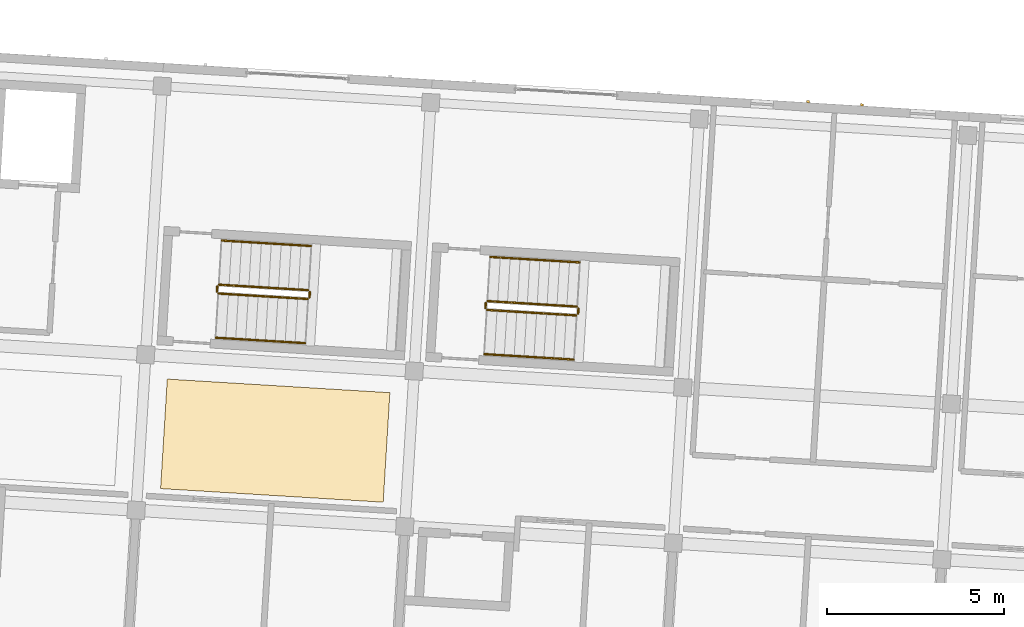
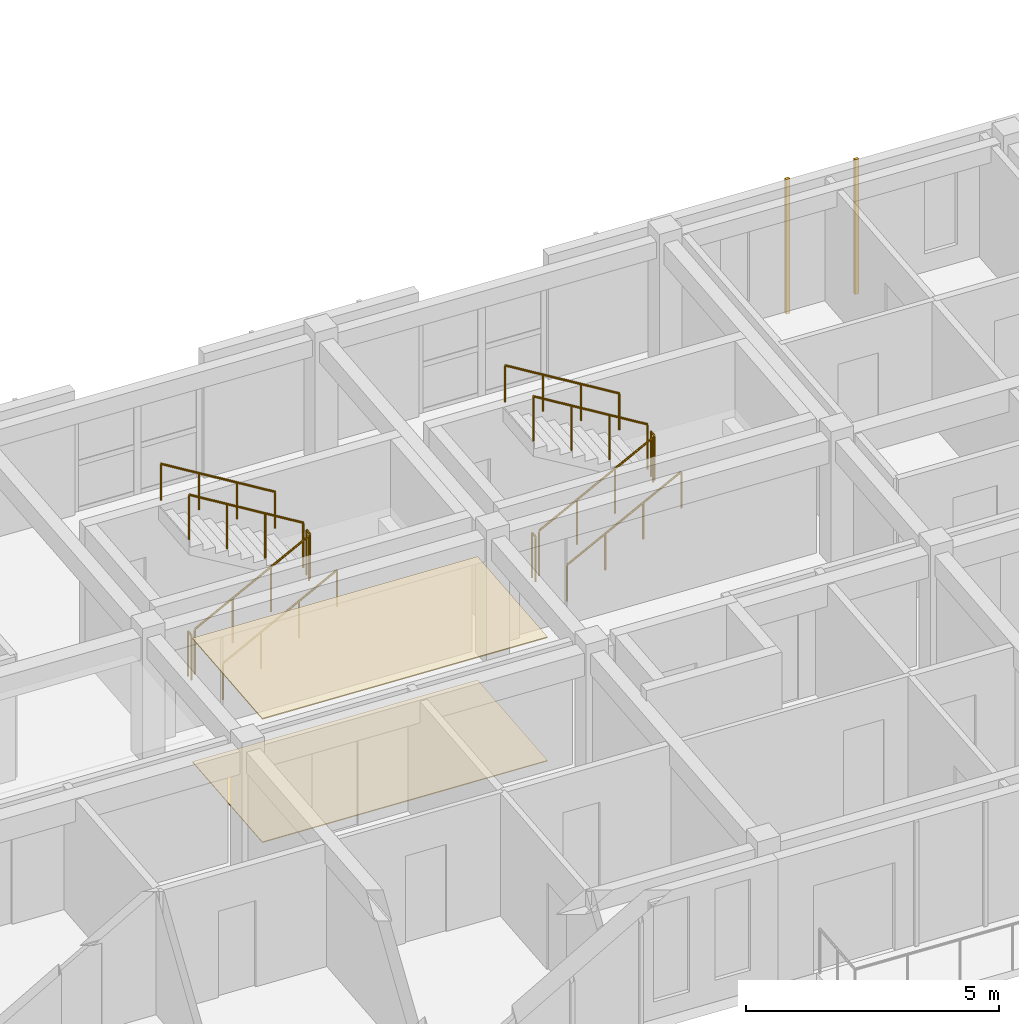
# One storey, part 50 of 66: 12 railings, 4 coverings.
"""IFC4 building model written with IfcOpenShell, lengths in metres."""

from ifc_helpers import new_model, si_unit, direction, frame, origin, origin_2d, place, context, subcontext, project, spatial, polyline, rectangle, circle, outline, extrude, material, layer, layer_set, type_object, element, save


model = new_model("IFC4")

# Units and contexts
model_context = context("Model", 3, precision=1e-05, world=origin(), true_north=direction((0.0, 1.0)))
body_context = subcontext(model_context, "Body", "Model", "MODEL_VIEW")
ifc_project = project(units=[si_unit("LENGTHUNIT", "METRE"), si_unit("AREAUNIT", "SQUARE_METRE"), si_unit("VOLUMEUNIT", "CUBIC_METRE"), si_unit("PLANEANGLEUNIT", "RADIAN"), si_unit("MASSUNIT", "GRAM", prefix="KILO")], contexts=[model_context])

# Site, building, storey
site_placement = place(None, origin())
site = spatial("IfcSite", under=ifc_project, at=site_placement, CompositionType="ELEMENT")
building_placement = place(site_placement, origin())
building = spatial("IfcBuilding", under=site, at=building_placement, Name="Kestramere Prow Commons", CompositionType="ELEMENT")
storey_placement = place(building_placement, frame((0.0, 0.0, 14.89990234375)))
storey = spatial("IfcBuildingStorey", under=building, at=storey_placement, Name="L04", CompositionType="ELEMENT", Elevation=14.89990234375)

# Coverings
ifc_material_1 = material(Name="Mineral Fibre Acoustic Ceiling Tile")
ifc_layer_1 = layer(ifc_material_1, 0.02490234375)
ifc_layer_set_1 = layer_set([ifc_layer_1], Name="Mineral Fibre Acoustic Ceiling Tile")
covering_type_1 = type_object("IfcCoveringType", Name="COV-CEIL-ACOUSTIC", PredefinedType="CEILING", material=ifc_layer_set_1)
covering_1_placement = place(storey_placement, frame((0.0, 0.0, 2.97509765625)))
element("IfcCovering", 1, at=covering_1_placement, inside=storey, type_object=covering_type_1, Name="Block C L04 Corridor Acoustic Ceiling 2", PredefinedType="CEILING", context=body_context, shape_type="SweptSolid", body=[
    extrude(outline(polyline([(68.23828125, 54.23095703125), (74.526611328125, 53.846435546875), (74.7158203125, 56.940673828125), (68.427490234375, 57.3251953125), (68.23828125, 54.23095703125)])), origin(), (0.0, 0.0, 1.0), 0.02490234375),
])
ifc_material_2 = material(Name="Weathered Zinc-Titanium Standing-Seam Cladding")
ifc_layer_2 = layer(ifc_material_2, 0.074951171875)
ifc_layer_set_2 = layer_set([ifc_layer_2], Name="Weathered Zinc-Titanium Standing-Seam Cladding")
covering_type_2 = type_object("IfcCoveringType", Name="COV-CLAD-SEAM", PredefinedType="CLADDING", material=ifc_layer_set_2)
for number, where, z_axis, x_axis, name in (
    (2, (86.52978515625, 65.162109375, -0.25), (0.0, 0.0, 1.0), (0.998134798422, -0.061048539535, 0.0), "EW-C-L04-N-3 Standing-Seam Rib 2"),
    (3, (88.046875, 65.0693359375, -0.25), (0.0, 0.0, 1.0), (0.998134798422, -0.061048539535, 0.0), "EW-C-L04-N-3 Standing-Seam Rib 3"),
):
    element("IfcCovering", number, at=place(storey_placement, frame(where, z_axis=z_axis, x_axis=x_axis)), inside=storey, type_object=covering_type_2, Name=name, PredefinedType="CLADDING", context=body_context, shape_type="SweptSolid", body=[
        extrude(rectangle(XDim=0.0849609375, YDim=0.06494140625, at=origin_2d()), origin(), (0.0, 0.0, 1.0), 3.25),
    ])
ifc_material_3 = material(Name="Honed Cementitious Terrazzo Tile")
ifc_layer_3 = layer(ifc_material_3, 0.02001953125)
ifc_layer_set_3 = layer_set([ifc_layer_3], Name="Honed Cementitious Terrazzo Tile")
covering_type_3 = type_object("IfcCoveringType", Name="COV-FLOOR-TERRAZZO", PredefinedType="FLOORING", material=ifc_layer_set_3)
covering_2_placement = place(storey_placement, origin())
element("IfcCovering", 4, at=covering_2_placement, inside=storey, type_object=covering_type_3, Name="Block C L04 Corridor Terrazzo Flooring 2", PredefinedType="FLOORING", context=body_context, shape_type="SweptSolid", body=[
    extrude(outline(polyline([(68.23828125, 54.23095703125), (74.526611328125, 53.846435546875), (74.7158203125, 56.940673828125), (68.427490234375, 57.3251953125), (68.23828125, 54.23095703125)])), origin(), (0.0, 0.0, 1.0), 0.02001953125),
])

# Railings
ifc_material_4 = material(Name="Galvanised Steel S275JR", Category="steel")
railing_type_1 = type_object("IfcRailingType", Name="RL-ST-GR-1100", PredefinedType="GUARDRAIL", material=ifc_material_4)
railing_1_placement = place(storey_placement, frame((69.877685546875, 59.7412109375, 0.16259765625)))
element("IfcRailing", 5, at=railing_1_placement, inside=storey, type_object=railing_type_1, Name="L04 ST-C1 stair guard 1", PredefinedType="GUARDRAIL", context=body_context, shape_type="SweptSolid", body=[
    extrude(circle(Radius=0.02392578125, at=origin_2d()), frame((0.0, 0.0, 1.076171875), z_axis=(0.863306038156, -0.052788780359, 0.501912371984), x_axis=(0.061033243939, 0.998135733823, 0.0)), (0.0, 0.0, 1.0), 2.91357421875),
    extrude(circle(Radius=0.02099609375, at=origin_2d()), origin(), (0.0, 0.0, 1.0), 1.052001953125),
    extrude(circle(Radius=0.02099609375, at=origin_2d()), frame((0.83837890625, -0.05126953125, 0.487548828125)), (0.0, 0.0, 1.0), 1.052001953125),
    extrude(circle(Radius=0.02099609375, at=origin_2d()), frame((1.677001953125, -0.1025390625, 0.974853515625)), (0.0, 0.0, 1.0), 1.052001953125),
    extrude(circle(Radius=0.02099609375, at=origin_2d()), frame((2.515380859375, -0.15380859375, 1.46240234375)), (0.0, 0.0, 1.0), 1.052001953125),
])
railing_2_placement = place(storey_placement, frame((72.446044921875, 59.63427734375, 1.625)))
element("IfcRailing", 6, at=railing_2_placement, inside=storey, type_object=railing_type_1, Name="L04 ST-C1 stair guard 2", PredefinedType="GUARDRAIL", context=body_context, shape_type="SweptSolid", body=[
    extrude(circle(Radius=0.02392578125, at=origin_2d()), frame((0.0, 0.0, 1.076171875), z_axis=(0.060249240593, 0.998183364422, 0.0), x_axis=(-0.998183364422, 0.060249240593, 0.0)), (0.0, 0.0, 1.0), 0.14990234375),
    extrude(circle(Radius=0.02099609375, at=origin_2d()), origin(), (0.0, 0.0, 1.0), 1.052001953125),
    extrude(circle(Radius=0.02099609375, at=origin_2d()), frame((0.009033203125, 0.149658203125, 0.0)), (0.0, 0.0, 1.0), 1.052001953125),
])
railing_3_placement = place(storey_placement, frame((72.408203125, 59.8369140625, 1.78759765625)))
element("IfcRailing", 7, at=railing_3_placement, inside=storey, type_object=railing_type_1, Name="L04 ST-C1 stair guard 3", PredefinedType="GUARDRAIL", context=body_context, shape_type="SweptSolid", body=[
    extrude(circle(Radius=0.02392578125, at=origin_2d()), frame((0.0, 0.0, 1.076171875), z_axis=(-0.863284693866, 0.052792599217, 0.501948681446), x_axis=(-0.061039146275, -0.998135372894, 0.0)), (0.0, 0.0, 1.0), 2.913330078125),
    extrude(circle(Radius=0.02099609375, at=origin_2d()), origin(), (0.0, 0.0, 1.0), 1.052001953125),
    extrude(circle(Radius=0.02099609375, at=origin_2d()), frame((-0.83837890625, 0.05126953125, 0.487548828125)), (0.0, 0.0, 1.0), 1.052001953125),
    extrude(circle(Radius=0.02099609375, at=origin_2d()), frame((-1.6767578125, 0.1025390625, 0.974853515625)), (0.0, 0.0, 1.0), 1.052001953125),
    extrude(circle(Radius=0.02099609375, at=origin_2d()), frame((-2.51513671875, 0.15380859375, 1.46240234375)), (0.0, 0.0, 1.0), 1.052001953125),
])
railing_4_placement = place(storey_placement, frame((69.830810546875, 59.794189453125, 0.0)))
element("IfcRailing", 8, at=railing_4_placement, inside=storey, type_object=railing_type_1, Name="L04 ST-C1 stair guard 4", PredefinedType="GUARDRAIL", context=body_context, shape_type="SweptSolid", body=[
    extrude(circle(Radius=0.02392578125, at=origin_2d()), frame((0.0, 0.0, 1.076171875), z_axis=(0.061871446683, 0.998084126758, 0.0), x_axis=(-0.998084126758, 0.061871446683, 0.0)), (0.0, 0.0, 1.0), 0.14990234375),
    extrude(circle(Radius=0.02099609375, at=origin_2d()), origin(), (0.0, 0.0, 1.0), 1.052001953125),
    extrude(circle(Radius=0.02099609375, at=origin_2d()), frame((0.00927734375, 0.149658203125, 0.0)), (0.0, 0.0, 1.0), 1.052001953125),
])
railing_5_placement = place(storey_placement, frame((77.463623046875, 59.277099609375, 0.16259765625)))
element("IfcRailing", 9, at=railing_5_placement, inside=storey, type_object=railing_type_1, Name="L04 ST-C2 stair guard 1", PredefinedType="GUARDRAIL", context=body_context, shape_type="SweptSolid", body=[
    extrude(circle(Radius=0.02392578125, at=origin_2d()), frame((0.0, 0.0, 1.076171875), z_axis=(0.863284693866, -0.052792599217, 0.501948681446), x_axis=(0.061039146275, 0.998135372894, 0.0)), (0.0, 0.0, 1.0), 2.913330078125),
    extrude(circle(Radius=0.02099609375, at=origin_2d()), origin(), (0.0, 0.0, 1.0), 1.052001953125),
    extrude(circle(Radius=0.02099609375, at=origin_2d()), frame((0.83837890625, -0.05126953125, 0.487548828125)), (0.0, 0.0, 1.0), 1.052001953125),
    extrude(circle(Radius=0.02099609375, at=origin_2d()), frame((1.6767578125, -0.1025390625, 0.974853515625)), (0.0, 0.0, 1.0), 1.052001953125),
    extrude(circle(Radius=0.02099609375, at=origin_2d()), frame((2.51513671875, -0.15380859375, 1.46240234375)), (0.0, 0.0, 1.0), 1.052001953125),
])
railing_6_placement = place(storey_placement, frame((80.03173828125, 59.170166015625, 1.625)))
element("IfcRailing", 10, at=railing_6_placement, inside=storey, type_object=railing_type_1, Name="L04 ST-C2 stair guard 2", PredefinedType="GUARDRAIL", context=body_context, shape_type="SweptSolid", body=[
    extrude(circle(Radius=0.02392578125, at=origin_2d()), frame((0.0, 0.0, 1.076171875), z_axis=(0.061871446683, 0.998084126758, 0.0), x_axis=(-0.998084126758, 0.061871446683, 0.0)), (0.0, 0.0, 1.0), 0.14990234375),
    extrude(circle(Radius=0.02099609375, at=origin_2d()), origin(), (0.0, 0.0, 1.0), 1.052001953125),
    extrude(circle(Radius=0.02099609375, at=origin_2d()), frame((0.00927734375, 0.149658203125, 0.0)), (0.0, 0.0, 1.0), 1.052001953125),
])
railing_7_placement = place(storey_placement, frame((79.994140625, 59.372802734375, 1.78759765625)))
element("IfcRailing", 11, at=railing_7_placement, inside=storey, type_object=railing_type_1, Name="L04 ST-C2 stair guard 3", PredefinedType="GUARDRAIL", context=body_context, shape_type="SweptSolid", body=[
    extrude(circle(Radius=0.02392578125, at=origin_2d()), frame((0.0, 0.0, 1.076171875), z_axis=(-0.863306038156, 0.052788780359, 0.501912371984), x_axis=(-0.061033243939, -0.998135733823, 0.0)), (0.0, 0.0, 1.0), 2.91357421875),
    extrude(circle(Radius=0.02099609375, at=origin_2d()), origin(), (0.0, 0.0, 1.0), 1.052001953125),
    extrude(circle(Radius=0.02099609375, at=origin_2d()), frame((-0.83837890625, 0.05126953125, 0.487548828125)), (0.0, 0.0, 1.0), 1.052001953125),
    extrude(circle(Radius=0.02099609375, at=origin_2d()), frame((-1.677001953125, 0.1025390625, 0.974853515625)), (0.0, 0.0, 1.0), 1.052001953125),
    extrude(circle(Radius=0.02099609375, at=origin_2d()), frame((-2.515380859375, 0.15380859375, 1.46240234375)), (0.0, 0.0, 1.0), 1.052001953125),
])
railing_8_placement = place(storey_placement, frame((77.416748046875, 59.330078125, 0.0)))
element("IfcRailing", 12, at=railing_8_placement, inside=storey, type_object=railing_type_1, Name="L04 ST-C2 stair guard 4", PredefinedType="GUARDRAIL", context=body_context, shape_type="SweptSolid", body=[
    extrude(circle(Radius=0.02392578125, at=origin_2d()), frame((0.0, 0.0, 1.076171875), z_axis=(0.060151470121, 0.998189260933, 0.0), x_axis=(-0.998189260933, 0.060151470121, 0.0)), (0.0, 0.0, 1.0), 0.150146484375),
    extrude(circle(Radius=0.02099609375, at=origin_2d()), origin(), (0.0, 0.0, 1.0), 1.052001953125),
    extrude(circle(Radius=0.02099609375, at=origin_2d()), frame((0.009033203125, 0.14990234375, 0.0)), (0.0, 0.0, 1.0), 1.052001953125),
])
ifc_material_5 = material(Name="Stainless Steel 304", Category="steel")
railing_type_2 = type_object("IfcRailingType", Name="RL-ST-HR-900", PredefinedType="HANDRAIL", material=ifc_material_5)
railing_9_placement = place(storey_placement, frame((69.801513671875, 58.493408203125, 0.3251953125)))
element("IfcRailing", 13, at=railing_9_placement, inside=storey, type_object=railing_type_2, Name="L04 ST-C1 stair handrail 1", PredefinedType="HANDRAIL", context=body_context, shape_type="SweptSolid", body=[
    extrude(circle(Radius=0.02392578125, at=origin_2d()), frame((0.0, 0.0, 0.8759765625), z_axis=(0.863284693866, -0.052792599217, 0.501948681446), x_axis=(0.061039146275, 0.998135372894, 0.0)), (0.0, 0.0, 1.0), 2.913330078125),
    extrude(circle(Radius=0.02099609375, at=origin_2d()), origin(), (0.0, 0.0, 1.0), 0.851806640625),
    extrude(circle(Radius=0.02099609375, at=origin_2d()), frame((0.83837890625, -0.05126953125, 0.487548828125)), (0.0, 0.0, 1.0), 0.851806640625),
    extrude(circle(Radius=0.02099609375, at=origin_2d()), frame((1.6767578125, -0.1025390625, 0.974853515625)), (0.0, 0.0, 1.0), 0.851806640625),
    extrude(circle(Radius=0.02099609375, at=origin_2d()), frame((2.51513671875, -0.15380859375, 1.46240234375)), (0.0, 0.0, 1.0), 0.851806640625),
])
railing_10_placement = place(storey_placement, frame((72.484619140625, 61.08447265625, 1.9501953125)))
element("IfcRailing", 14, at=railing_10_placement, inside=storey, type_object=railing_type_2, Name="L04 ST-C1 stair handrail 2", PredefinedType="HANDRAIL", context=body_context, shape_type="SweptSolid", body=[
    extrude(circle(Radius=0.02392578125, at=origin_2d()), frame((0.0, 0.0, 0.8759765625), z_axis=(-0.863306038156, 0.052788780359, 0.501912371984), x_axis=(-0.061033243939, -0.998135733823, 0.0)), (0.0, 0.0, 1.0), 2.91357421875),
    extrude(circle(Radius=0.02099609375, at=origin_2d()), origin(), (0.0, 0.0, 1.0), 0.851806640625),
    extrude(circle(Radius=0.02099609375, at=origin_2d()), frame((-0.83837890625, 0.05126953125, 0.487548828125)), (0.0, 0.0, 1.0), 0.851806640625),
    extrude(circle(Radius=0.02099609375, at=origin_2d()), frame((-1.677001953125, 0.1025390625, 0.974853515625)), (0.0, 0.0, 1.0), 0.851806640625),
    extrude(circle(Radius=0.02099609375, at=origin_2d()), frame((-2.515380859375, 0.15380859375, 1.46240234375)), (0.0, 0.0, 1.0), 0.851806640625),
])
railing_11_placement = place(storey_placement, frame((77.38720703125, 58.029541015625, 0.3251953125)))
element("IfcRailing", 15, at=railing_11_placement, inside=storey, type_object=railing_type_2, Name="L04 ST-C2 stair handrail 1", PredefinedType="HANDRAIL", context=body_context, shape_type="SweptSolid", body=[
    extrude(circle(Radius=0.02392578125, at=origin_2d()), frame((0.0, 0.0, 0.8759765625), z_axis=(0.863306038156, -0.052788780359, 0.501912371984), x_axis=(0.061033243939, 0.998135733823, 0.0)), (0.0, 0.0, 1.0), 2.91357421875),
    extrude(circle(Radius=0.02099609375, at=origin_2d()), origin(), (0.0, 0.0, 1.0), 0.851806640625),
    extrude(circle(Radius=0.02099609375, at=origin_2d()), frame((0.83837890625, -0.05126953125, 0.487548828125)), (0.0, 0.0, 1.0), 0.851806640625),
    extrude(circle(Radius=0.02099609375, at=origin_2d()), frame((1.677001953125, -0.1025390625, 0.974853515625)), (0.0, 0.0, 1.0), 0.851806640625),
    extrude(circle(Radius=0.02099609375, at=origin_2d()), frame((2.515380859375, -0.15380859375, 1.46240234375)), (0.0, 0.0, 1.0), 0.851806640625),
])
railing_12_placement = place(storey_placement, frame((80.0703125, 60.62060546875, 1.9501953125)))
element("IfcRailing", 16, at=railing_12_placement, inside=storey, type_object=railing_type_2, Name="L04 ST-C2 stair handrail 2", PredefinedType="HANDRAIL", context=body_context, shape_type="SweptSolid", body=[
    extrude(circle(Radius=0.02392578125, at=origin_2d()), frame((0.0, 0.0, 0.8759765625), z_axis=(-0.863284693866, 0.052792599217, 0.501948681446), x_axis=(-0.061039146275, -0.998135372894, 0.0)), (0.0, 0.0, 1.0), 2.913330078125),
    extrude(circle(Radius=0.02099609375, at=origin_2d()), origin(), (0.0, 0.0, 1.0), 0.851806640625),
    extrude(circle(Radius=0.02099609375, at=origin_2d()), frame((-0.83837890625, 0.05126953125, 0.487548828125)), (0.0, 0.0, 1.0), 0.851806640625),
    extrude(circle(Radius=0.02099609375, at=origin_2d()), frame((-1.6767578125, 0.1025390625, 0.974853515625)), (0.0, 0.0, 1.0), 0.851806640625),
    extrude(circle(Radius=0.02099609375, at=origin_2d()), frame((-2.51513671875, 0.15380859375, 1.46240234375)), (0.0, 0.0, 1.0), 0.851806640625),
])

save(model, "model.ifc")
